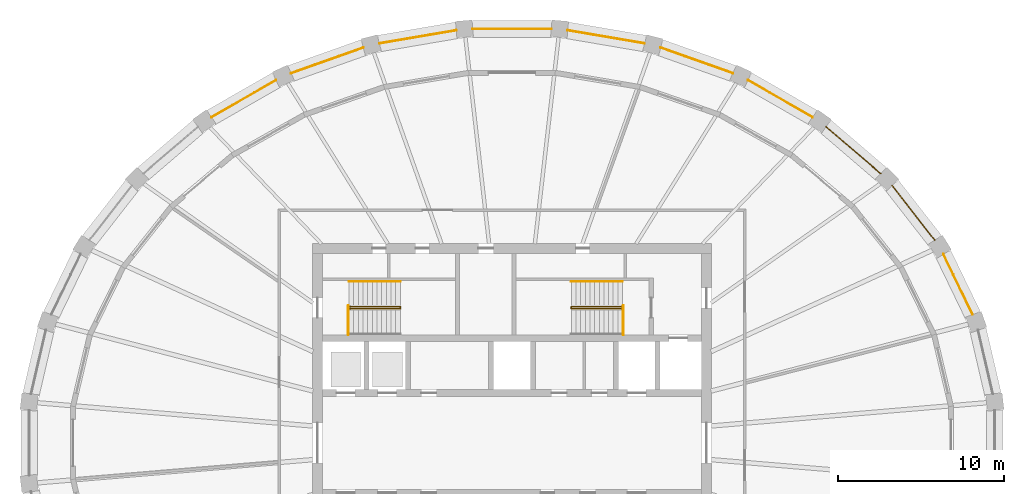
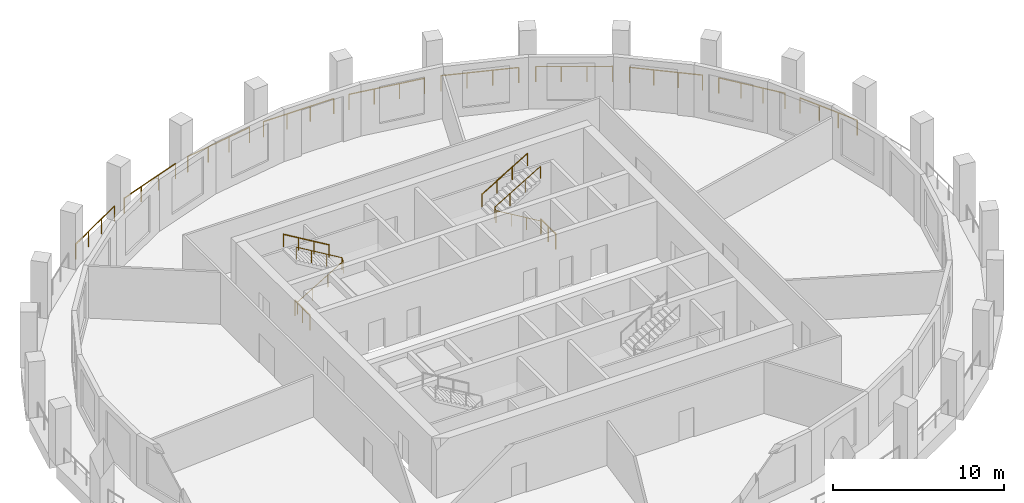
# One storey, part 9 of 10: 16 railings.
"""IFC4 building model written with IfcOpenShell, lengths in metres."""

import ifcopenshell
import ifcopenshell.guid

model = None  # the IFC model being written
_history = None  # IfcOwnerHistory: only IFC2X3 demands one
_inside = {}  # id of a spatial element -> (the spatial element, [elements in it])
_under = {}  # id of a project, library or spatial element -> (it, [spatial elements below it])
_declared = {}  # id of a project -> (the project, [libraries it declares])
_typed = {}  # id of a type object -> (the type object, [elements of that type])
_made_of = {}  # id of a material, layer set ... -> (it, [elements and type objects made of it])


def new_model(schema):
    """Start an empty IFC model of exactly this schema.

    Asked for "IFC4X3", IfcOpenShell would pick the latest addendum, in which some entities
    have other attributes; the version numbers below select the first issue.
    IFC2X3 requires an IfcOwnerHistory on every rooted entity: one is made here for all.
    """
    global model, _history
    if schema == "IFC4X3":
        model = ifcopenshell.file(schema_version=(4, 3, 0, 0))
    else:
        model = ifcopenshell.file(schema=schema)
    _inside.clear()
    _under.clear()
    _declared.clear()
    _typed.clear()
    _made_of.clear()
    _history = None
    if model.schema == "IFC2X3":
        org = make("IfcOrganization", Name="unknown")
        user = make(
            "IfcPersonAndOrganization",
            ThePerson=make("IfcPerson", FamilyName="unknown"),
            TheOrganization=org,
        )
        app = make(
            "IfcApplication",
            ApplicationDeveloper=org,
            Version="unknown",
            ApplicationFullName="unknown",
            ApplicationIdentifier="unknown",
        )
        _history = make(
            "IfcOwnerHistory",
            OwningUser=user,
            OwningApplication=app,
            ChangeAction="ADDED",
            CreationDate=0,
        )
    return model


def make(cls, **values):
    """One entity of the class cls with the attributes given. An attribute that is None is left unset."""
    return model.create_entity(
        cls, **{name: value for name, value in values.items() if value is not None}
    )


def rooted(cls, **values):
    """An entity with a GlobalId (a new one), such as an element, a storey or a relation."""
    return make(cls, GlobalId=ifcopenshell.guid.new(), OwnerHistory=_history, **values)


def si_unit(unit_type, name, prefix=None):
    """IfcSIUnit, for example si_unit("LENGTHUNIT", "METRE", prefix="MILLI")."""
    return make("IfcSIUnit", UnitType=unit_type, Prefix=prefix, Name=name)


def assignment(units):
    """IfcUnitAssignment: the units of a project."""
    return None if units is None else make("IfcUnitAssignment", Units=units)


def point(xyz):
    """IfcCartesianPoint."""
    return None if xyz is None else make("IfcCartesianPoint", Coordinates=xyz)


def direction(xyz):
    """IfcDirection."""
    return None if xyz is None else make("IfcDirection", DirectionRatios=xyz)


def frame(location, z_axis=None, x_axis=None):
    """IfcAxis2Placement3D, a coordinate frame: its origin and axes. An axis left out is left unset."""
    return make(
        "IfcAxis2Placement3D",
        Location=point(location),
        Axis=direction(z_axis),
        RefDirection=direction(x_axis),
    )


def frame_2d(location, x_axis=None):
    """IfcAxis2Placement2D, a coordinate frame in the plane: its origin and x axis."""
    return make(
        "IfcAxis2Placement2D", Location=point(location), RefDirection=direction(x_axis)
    )


def origin():
    """The frame at (0, 0, 0) with its axes left unset."""
    return frame((0.0, 0.0, 0.0))


def origin_2d():
    """The frame at (0, 0) in the plane with its x axis left unset."""
    return frame_2d((0.0, 0.0))


def place(relative_to, where):
    """IfcLocalPlacement: puts the frame where relative to a parent placement (None: the world)."""
    return make(
        "IfcLocalPlacement", PlacementRelTo=relative_to, RelativePlacement=where
    )


def context(
    kind, dimensions, precision=None, world=None, true_north=None, identifier=None
):
    """IfcGeometricRepresentationContext, for example the 3D "Model" context."""
    return make(
        "IfcGeometricRepresentationContext",
        ContextIdentifier=identifier,
        ContextType=kind,
        CoordinateSpaceDimension=dimensions,
        Precision=precision,
        WorldCoordinateSystem=world,
        TrueNorth=true_north,
    )


def subcontext(parent, identifier, kind, view, scale=None):
    """IfcGeometricRepresentationSubContext, for example "Body" below "Model"."""
    return make(
        "IfcGeometricRepresentationSubContext",
        ContextIdentifier=identifier,
        ContextType=kind,
        ParentContext=parent,
        TargetScale=scale,
        TargetView=view,
    )


def project(units=None, contexts=None):
    """IfcProject with its units and contexts."""
    return rooted(
        "IfcProject",
        Name="project",
        RepresentationContexts=contexts,
        UnitsInContext=assignment(units),
    )


def spatial(cls, under=None, at=None, **own):
    """A site, building, storey or space (cls), placed at a placement, below another one or the project."""
    s = rooted(cls, ObjectPlacement=at, **own)
    if under is not None:
        _under.setdefault(under.id(), (under, []))[1].append(s)
    return s


def profile(cls, at=None, kind="AREA", **sizes):
    """A parametric profile (cls). Its sizes go by their IFC names, for example OverallWidth=200.0."""
    return make(cls, ProfileType=kind, Position=at, **sizes)


def circle(**sizes):
    """IfcCircleProfileDef."""
    return profile("IfcCircleProfileDef", **sizes)


def extrude(swept, where, along, depth):
    """IfcExtrudedAreaSolid: the profile swept, set in the frame where, extruded along a direction by depth."""
    return make(
        "IfcExtrudedAreaSolid",
        SweptArea=swept,
        Position=where,
        ExtrudedDirection=direction(along),
        Depth=depth,
    )


def shape(context_of_items, identifier, shape_type, items):
    """IfcShapeRepresentation: the items that make up one representation, for example the "Body"."""
    return make(
        "IfcShapeRepresentation",
        ContextOfItems=context_of_items,
        RepresentationIdentifier=identifier,
        RepresentationType=shape_type,
        Items=items,
    )


def material(Name=None, Category=None):
    """IfcMaterial."""
    return make("IfcMaterial", Name=Name, Category=Category)


def made_of(thing, what):
    """Note that an element or type object is made of a material, layer set ...; save() writes the relation."""
    if what is not None:
        _made_of.setdefault(what.id(), (what, []))[1].append(thing)
    return thing


def type_object(cls, material=None, **own):
    """A type object (cls), such as IfcWallType, which elements share."""
    return made_of(rooted(cls, **own), material)


def element(
    cls,
    number,
    at=None,
    inside=None,
    cuts=None,
    type_object=None,
    material=None,
    context=None,
    identifier="Body",
    shape_type=None,
    held_by="IfcProductDefinitionShape",
    body=None,
    shapes=None,
    **own,
):
    """One element of the class cls, such as IfcWall. Its Tag is "e" and its number.

    at: its placement. inside: the storey or other place that contains it. cuts: it is an
    opening in that element (IfcRelVoidsElement). A single representation is given by context,
    identifier, shape_type and body (its items); several are given by shapes. held_by: the class
    of the entity that holds the representations. save() writes the other relations.
    """
    e = rooted(cls, Tag="e%d" % number, ObjectPlacement=at, **own)
    if body is not None:
        shapes = [shape(context, identifier, shape_type, body)]
    if shapes is not None:
        e.Representation = make(held_by, Representations=shapes)
    if inside is not None:
        _inside.setdefault(inside.id(), (inside, []))[1].append(e)
    if cuts is not None:
        rooted(
            "IfcRelVoidsElement", RelatingBuildingElement=cuts, RelatedOpeningElement=e
        )
    if type_object is not None:
        _typed.setdefault(type_object.id(), (type_object, []))[1].append(e)
    return made_of(e, material)


def aggregate(whole, parts):
    """IfcRelAggregates: a whole, such as a stair, and the parts it consists of."""
    return rooted("IfcRelAggregates", RelatingObject=whole, RelatedObjects=parts)


def save(model, path):
    """Write the relations noted so far, then the file.

    IfcRelAggregates (storeys below a building ...), IfcRelContainedInSpatialStructure (elements
    in a storey), IfcRelDefinesByType, IfcRelAssociatesMaterial and IfcRelDeclares: one each for
    every whole, place, type object, material and project.
    """
    for whole, parts in _under.values():
        aggregate(whole, parts)
    for where, things in _inside.values():
        rooted(
            "IfcRelContainedInSpatialStructure",
            RelatedElements=things,
            RelatingStructure=where,
        )
    for kind, things in _typed.values():
        rooted("IfcRelDefinesByType", RelatedObjects=things, RelatingType=kind)
    for what, things in _made_of.values():
        rooted("IfcRelAssociatesMaterial", RelatedObjects=things, RelatingMaterial=what)
    for by, libraries in _declared.values():
        rooted("IfcRelDeclares", RelatingContext=by, RelatedDefinitions=libraries)
    model.write(path)


model = new_model("IFC4")

# Units and contexts
model_context = context("Model", 3, precision=1e-05, world=origin(), true_north=direction((0.0, 1.0)))
body_context = subcontext(model_context, "Body", "Model", "MODEL_VIEW")
ifc_project = project(units=[si_unit("LENGTHUNIT", "METRE"), si_unit("AREAUNIT", "SQUARE_METRE"), si_unit("VOLUMEUNIT", "CUBIC_METRE"), si_unit("PLANEANGLEUNIT", "RADIAN"), si_unit("MASSUNIT", "GRAM", prefix="KILO")], contexts=[model_context])

# Site, building, storey
site_placement = place(None, origin())
site = spatial("IfcSite", under=ifc_project, at=site_placement, CompositionType="ELEMENT")
building_placement = place(site_placement, origin())
building = spatial("IfcBuilding", under=site, at=building_placement, Name="Halqa Exchange Tower", CompositionType="ELEMENT")
storey_placement = place(building_placement, frame((0.0, 0.0, 296.300048828125)))
storey = spatial("IfcBuildingStorey", under=building, at=storey_placement, Name="L69", CompositionType="ELEMENT", Elevation=296.300048828125)

# Railings
ifc_material = material(Name="Stainless steel", Category="steel")
railing_type_1 = type_object("IfcRailingType", Name="Guard 1100 stainless steel", PredefinedType="GUARDRAIL", material=ifc_material)
railing_1_placement = place(storey_placement, frame((27.7099609375, 7.711669921875, 0.0)))
element("IfcRailing", 1, at=railing_1_placement, inside=storey, type_object=railing_type_1, Name="Loggia guard 2", PredefinedType="GUARDRAIL", context=body_context, shape_type="SweptSolid", body=[
    extrude(circle(Radius=0.02392578125, at=origin_2d()), frame((0.0, 0.0, 1.076171875), z_axis=(-0.435086028239, 0.90038888711, 0.0), x_axis=(-0.90038888711, -0.435086028239, 0.0)), (0.0, 0.0, 1.0), 4.03173828125),
    extrude(circle(Radius=0.02099609375, at=origin_2d()), origin(), (0.0, 0.0, 1.0), 1.052001953125),
    extrude(circle(Radius=0.02099609375, at=origin_2d()), frame((-0.584716796875, 1.2099609375, 0.0)), (0.0, 0.0, 1.0), 1.052001953125),
    extrude(circle(Radius=0.02099609375, at=origin_2d()), frame((-1.16943359375, 2.420166015625, 0.0)), (0.0, 0.0, 1.0), 1.052001953125),
    extrude(circle(Radius=0.02099609375, at=origin_2d()), frame((-1.754150390625, 3.630126953125, 0.0)), (0.0, 0.0, 1.0), 1.052001953125),
])
railing_2_placement = place(storey_placement, frame((25.430908203125, 12.186279296875, 0.0)))
element("IfcRailing", 2, at=railing_2_placement, inside=storey, type_object=railing_type_1, Name="Loggia guard 3", PredefinedType="GUARDRAIL", context=body_context, shape_type="SweptSolid", body=[
    extrude(circle(Radius=0.02392578125, at=origin_2d()), frame((0.0, 0.0, 1.076171875), z_axis=(-0.614799536048, 0.788683415875, 0.0), x_axis=(-0.788683415875, -0.614799536048, 0.0)), (0.0, 0.0, 1.0), 4.169921875),
    extrude(circle(Radius=0.02099609375, at=origin_2d()), origin(), (0.0, 0.0, 1.0), 1.052001953125),
    extrude(circle(Radius=0.02099609375, at=origin_2d()), frame((-0.8544921875, 1.09619140625, 0.0)), (0.0, 0.0, 1.0), 1.052001953125),
    extrude(circle(Radius=0.02099609375, at=origin_2d()), frame((-1.709228515625, 2.192626953125, 0.0)), (0.0, 0.0, 1.0), 1.052001953125),
    extrude(circle(Radius=0.02099609375, at=origin_2d()), frame((-2.563720703125, 3.288818359375, 0.0)), (0.0, 0.0, 1.0), 1.052001953125),
])
railing_3_placement = place(storey_placement, frame((22.18017578125, 16.194580078125, 0.0)))
element("IfcRailing", 3, at=railing_3_placement, inside=storey, type_object=railing_type_1, Name="Loggia guard 4", PredefinedType="GUARDRAIL", context=body_context, shape_type="SweptSolid", body=[
    extrude(circle(Radius=0.02392578125, at=origin_2d()), frame((0.0, 0.0, 1.076171875), z_axis=(-0.759256602365, 0.650791373456, 0.0), x_axis=(-0.650791373456, -0.759256602365, 0.0)), (0.0, 0.0, 1.0), 4.328369140625),
    extrude(circle(Radius=0.02099609375, at=origin_2d()), origin(), (0.0, 0.0, 1.0), 1.052001953125),
    extrude(circle(Radius=0.02099609375, at=origin_2d()), frame((-1.095458984375, 0.93896484375, 0.0)), (0.0, 0.0, 1.0), 1.052001953125),
    extrude(circle(Radius=0.02099609375, at=origin_2d()), frame((-2.19091796875, 1.8779296875, 0.0)), (0.0, 0.0, 1.0), 1.052001953125),
    extrude(circle(Radius=0.02099609375, at=origin_2d()), frame((-3.286376953125, 2.81689453125, 0.0)), (0.0, 0.0, 1.0), 1.052001953125),
])
railing_4_placement = place(storey_placement, frame((18.080322265625, 19.58544921875, 0.0)))
element("IfcRailing", 4, at=railing_4_placement, inside=storey, type_object=railing_type_1, Name="Loggia guard 5", PredefinedType="GUARDRAIL", context=body_context, shape_type="SweptSolid", body=[
    extrude(circle(Radius=0.02392578125, at=origin_2d()), frame((0.0, 0.0, 1.076171875), z_axis=(-0.867770081803, 0.496965879239, 0.0), x_axis=(-0.496965879239, -0.867770081803, 0.0)), (0.0, 0.0, 1.0), 4.481689453125),
    extrude(circle(Radius=0.02099609375, at=origin_2d()), origin(), (0.0, 0.0, 1.0), 1.052001953125),
    extrude(circle(Radius=0.02099609375, at=origin_2d()), frame((-1.29638671875, 0.742431640625, 0.0)), (0.0, 0.0, 1.0), 1.052001953125),
    extrude(circle(Radius=0.02099609375, at=origin_2d()), frame((-2.5927734375, 1.48486328125, 0.0)), (0.0, 0.0, 1.0), 1.052001953125),
    extrude(circle(Radius=0.02099609375, at=origin_2d()), frame((-3.88916015625, 2.227294921875, 0.0)), (0.0, 0.0, 1.0), 1.052001953125),
])
railing_5_placement = place(storey_placement, frame((13.2861328125, 22.228515625, 0.0)))
element("IfcRailing", 5, at=railing_5_placement, inside=storey, type_object=railing_type_1, Name="Loggia guard 6", PredefinedType="GUARDRAIL", context=body_context, shape_type="SweptSolid", body=[
    extrude(circle(Radius=0.02392578125, at=origin_2d()), frame((0.0, 0.0, 1.076171875), z_axis=(-0.942370647396, 0.334570714388, 0.0), x_axis=(-0.334570714388, -0.942370647396, 0.0)), (0.0, 0.0, 1.0), 4.60888671875),
    extrude(circle(Radius=0.02099609375, at=origin_2d()), origin(), (0.0, 0.0, 1.0), 1.052001953125),
    extrude(circle(Radius=0.02099609375, at=origin_2d()), frame((-1.44775390625, 0.513916015625, 0.0)), (0.0, 0.0, 1.0), 1.052001953125),
    extrude(circle(Radius=0.02099609375, at=origin_2d()), frame((-2.8955078125, 1.028076171875, 0.0)), (0.0, 0.0, 1.0), 1.052001953125),
    extrude(circle(Radius=0.02099609375, at=origin_2d()), frame((-4.34326171875, 1.5419921875, 0.0)), (0.0, 0.0, 1.0), 1.052001953125),
])
railing_6_placement = place(storey_placement, frame((7.978759765625, 24.02197265625, 0.0)))
element("IfcRailing", 6, at=railing_6_placement, inside=storey, type_object=railing_type_1, Name="Loggia guard 7", PredefinedType="GUARDRAIL", context=body_context, shape_type="SweptSolid", body=[
    extrude(circle(Radius=0.02392578125, at=origin_2d()), frame((0.0, 0.0, 1.076171875), z_axis=(-0.98577534907, 0.168068322908, 0.0), x_axis=(-0.168068322908, -0.98577534907, 0.0)), (0.0, 0.0, 1.0), 4.69189453125),
    extrude(circle(Radius=0.02099609375, at=origin_2d()), origin(), (0.0, 0.0, 1.0), 1.052001953125),
    extrude(circle(Radius=0.02099609375, at=origin_2d()), frame((-1.541748046875, 0.262939453125, 0.0)), (0.0, 0.0, 1.0), 1.052001953125),
    extrude(circle(Radius=0.02099609375, at=origin_2d()), frame((-3.08349609375, 0.525634765625, 0.0)), (0.0, 0.0, 1.0), 1.052001953125),
    extrude(circle(Radius=0.02099609375, at=origin_2d()), frame((-4.625244140625, 0.78857421875, 0.0)), (0.0, 0.0, 1.0), 1.052001953125),
])
railing_7_placement = place(storey_placement, frame((2.360595703125, 24.89453125, 0.0)))
element("IfcRailing", 7, at=railing_7_placement, inside=storey, type_object=railing_type_1, Name="Loggia guard 8", PredefinedType="GUARDRAIL", context=body_context, shape_type="SweptSolid", body=[
    extrude(circle(Radius=0.02392578125, at=origin_2d()), frame((0.0, 0.0, 1.076171875), z_axis=(-1.0, 0.0, 0.0), x_axis=(0.0, -1.0, 0.0)), (0.0, 0.0, 1.0), 4.72119140625),
    extrude(circle(Radius=0.02099609375, at=origin_2d()), origin(), (0.0, 0.0, 1.0), 1.052001953125),
    extrude(circle(Radius=0.02099609375, at=origin_2d()), frame((-1.57373046875, 0.0, 0.0)), (0.0, 0.0, 1.0), 1.052001953125),
    extrude(circle(Radius=0.02099609375, at=origin_2d()), frame((-3.1474609375, 0.0, 0.0)), (0.0, 0.0, 1.0), 1.052001953125),
    extrude(circle(Radius=0.02099609375, at=origin_2d()), frame((-4.72119140625, 0.0, 0.0)), (0.0, 0.0, 1.0), 1.052001953125),
])
railing_8_placement = place(storey_placement, frame((-3.353515625, 24.810546875, 0.0)))
element("IfcRailing", 8, at=railing_8_placement, inside=storey, type_object=railing_type_1, Name="Loggia guard 9", PredefinedType="GUARDRAIL", context=body_context, shape_type="SweptSolid", body=[
    extrude(circle(Radius=0.02392578125, at=origin_2d()), frame((0.0, 0.0, 1.076171875), z_axis=(-0.98577534907, -0.168068322908, 0.0), x_axis=(0.168068322908, -0.98577534907, 0.0)), (0.0, 0.0, 1.0), 4.69189453125),
    extrude(circle(Radius=0.02099609375, at=origin_2d()), origin(), (0.0, 0.0, 1.0), 1.052001953125),
    extrude(circle(Radius=0.02099609375, at=origin_2d()), frame((-1.541748046875, -0.262939453125, 0.0)), (0.0, 0.0, 1.0), 1.052001953125),
    extrude(circle(Radius=0.02099609375, at=origin_2d()), frame((-3.08349609375, -0.525634765625, 0.0)), (0.0, 0.0, 1.0), 1.052001953125),
    extrude(circle(Radius=0.02099609375, at=origin_2d()), frame((-4.625244140625, -0.78857421875, 0.0)), (0.0, 0.0, 1.0), 1.052001953125),
])
railing_9_placement = place(storey_placement, frame((-8.94287109375, 23.7705078125, 0.0)))
element("IfcRailing", 9, at=railing_9_placement, inside=storey, type_object=railing_type_1, Name="Loggia guard 10", PredefinedType="GUARDRAIL", context=body_context, shape_type="SweptSolid", body=[
    extrude(circle(Radius=0.02392578125, at=origin_2d()), frame((0.0, 0.0, 1.076171875), z_axis=(-0.942370647396, -0.334570714388, 0.0), x_axis=(0.334570714388, -0.942370647396, 0.0)), (0.0, 0.0, 1.0), 4.60888671875),
    extrude(circle(Radius=0.02099609375, at=origin_2d()), origin(), (0.0, 0.0, 1.0), 1.052001953125),
    extrude(circle(Radius=0.02099609375, at=origin_2d()), frame((-1.44775390625, -0.513916015625, 0.0)), (0.0, 0.0, 1.0), 1.052001953125),
    extrude(circle(Radius=0.02099609375, at=origin_2d()), frame((-2.8955078125, -1.028076171875, 0.0)), (0.0, 0.0, 1.0), 1.052001953125),
    extrude(circle(Radius=0.02099609375, at=origin_2d()), frame((-4.34326171875, -1.5419921875, 0.0)), (0.0, 0.0, 1.0), 1.052001953125),
])
railing_10_placement = place(storey_placement, frame((-14.191162109375, 21.812744140625, 0.0)))
element("IfcRailing", 10, at=railing_10_placement, inside=storey, type_object=railing_type_1, Name="Loggia guard 11", PredefinedType="GUARDRAIL", context=body_context, shape_type="SweptSolid", body=[
    extrude(circle(Radius=0.02392578125, at=origin_2d()), frame((0.0, 0.0, 1.076171875), z_axis=(-0.867770081803, -0.496965879239, 0.0), x_axis=(0.496965879239, -0.867770081803, 0.0)), (0.0, 0.0, 1.0), 4.481689453125),
    extrude(circle(Radius=0.02099609375, at=origin_2d()), origin(), (0.0, 0.0, 1.0), 1.052001953125),
    extrude(circle(Radius=0.02099609375, at=origin_2d()), frame((-1.29638671875, -0.742431640625, 0.0)), (0.0, 0.0, 1.0), 1.052001953125),
    extrude(circle(Radius=0.02099609375, at=origin_2d()), frame((-2.5927734375, -1.48486328125, 0.0)), (0.0, 0.0, 1.0), 1.052001953125),
    extrude(circle(Radius=0.02099609375, at=origin_2d()), frame((-3.88916015625, -2.227294921875, 0.0)), (0.0, 0.0, 1.0), 1.052001953125),
])
railing_type_2 = type_object("IfcRailingType", Name="Stair handrail 900", PredefinedType="HANDRAIL", material=ifc_material)
railing_11_placement = place(storey_placement, frame((-9.800048828125, 8.06005859375, 0.166748046875)))
element("IfcRailing", 11, at=railing_11_placement, inside=storey, type_object=railing_type_2, Name="Handrail ST1.1", PredefinedType="HANDRAIL", context=body_context, shape_type="SweptSolid", body=[
    extrude(circle(Radius=0.02392578125, at=origin_2d()), frame((0.0, 0.0, 0.8759765625), z_axis=(0.859308565015, 0.0, 0.511457515432), x_axis=(0.0, 1.0, 0.0)), (0.0, 0.0, 1.0), 3.58447265625),
    extrude(circle(Radius=0.02392578125, at=origin_2d()), frame((3.080078125, 0.0, 2.708984375), z_axis=(0.0, 0.614500226555, 0.788916644243), x_axis=(-1.0, 0.0, 0.0)), (0.0, 0.0, 1.0), 0.21142578125),
    extrude(circle(Radius=0.02392578125, at=origin_2d()), frame((3.080078125, 0.1298828125, 2.8759765625), z_axis=(-0.859308565015, 0.0, 0.511457515432), x_axis=(0.0, -1.0, 0.0)), (0.0, 0.0, 1.0), 3.58447265625),
    extrude(circle(Radius=0.02099609375, at=origin_2d()), origin(), (0.0, 0.0, 1.0), 0.851806640625),
    extrude(circle(Radius=0.02099609375, at=origin_2d()), frame((1.026611328125, 0.0, 0.611083984375)), (0.0, 0.0, 1.0), 0.851806640625),
    extrude(circle(Radius=0.02099609375, at=origin_2d()), frame((2.053466796875, 0.0, 1.22216796875)), (0.0, 0.0, 1.0), 0.851806640625),
    extrude(circle(Radius=0.02099609375, at=origin_2d()), frame((3.080078125, 0.0, 1.833251953125)), (0.0, 0.0, 1.0), 0.851806640625),
    extrude(circle(Radius=0.02099609375, at=origin_2d()), frame((3.080078125, 0.1298828125, 2.0)), (0.0, 0.0, 1.0), 0.851806640625),
    extrude(circle(Radius=0.02099609375, at=origin_2d()), frame((2.053466796875, 0.1298828125, 2.611083984375)), (0.0, 0.0, 1.0), 0.851806640625),
    extrude(circle(Radius=0.02099609375, at=origin_2d()), frame((1.026611328125, 0.1298828125, 3.22216796875)), (0.0, 0.0, 1.0), 0.851806640625),
    extrude(circle(Radius=0.02099609375, at=origin_2d()), frame((0.0, 0.1298828125, 3.833251953125)), (0.0, 0.0, 1.0), 0.851806640625),
])
railing_12_placement = place(storey_placement, frame((-6.719970703125, 9.699951171875, 2.166748046875)))
element("IfcRailing", 12, at=railing_12_placement, inside=storey, type_object=railing_type_2, Name="Handrail ST1.3", PredefinedType="HANDRAIL", context=body_context, shape_type="SweptSolid", body=[
    extrude(circle(Radius=0.02392578125, at=origin_2d()), frame((0.0, 0.0, 0.8759765625), z_axis=(-0.859308565015, 0.0, 0.511457515432), x_axis=(0.0, -1.0, 0.0)), (0.0, 0.0, 1.0), 3.58447265625),
    extrude(circle(Radius=0.02099609375, at=origin_2d()), origin(), (0.0, 0.0, 1.0), 0.851806640625),
    extrude(circle(Radius=0.02099609375, at=origin_2d()), frame((-1.026611328125, 0.0, 0.611083984375)), (0.0, 0.0, 1.0), 0.851806640625),
    extrude(circle(Radius=0.02099609375, at=origin_2d()), frame((-2.053466796875, 0.0, 1.22216796875)), (0.0, 0.0, 1.0), 0.851806640625),
    extrude(circle(Radius=0.02099609375, at=origin_2d()), frame((-3.080078125, 0.0, 1.833251953125)), (0.0, 0.0, 1.0), 0.851806640625),
])
railing_13_placement = place(storey_placement, frame((6.64990234375, 8.06005859375, 0.166748046875)))
element("IfcRailing", 13, at=railing_13_placement, inside=storey, type_object=railing_type_2, Name="Handrail ST2.1", PredefinedType="HANDRAIL", context=body_context, shape_type="SweptSolid", body=[
    extrude(circle(Radius=0.02392578125, at=origin_2d()), frame((0.0, 0.0, 0.8759765625), z_axis=(-0.859290745958, 0.0, 0.51148745235), x_axis=(0.0, -1.0, 0.0)), (0.0, 0.0, 1.0), 3.584228515625),
    extrude(circle(Radius=0.02392578125, at=origin_2d()), frame((-3.079833984375, 0.0, 2.708984375), z_axis=(0.0, 0.614500226555, 0.788916644243), x_axis=(-1.0, 0.0, 0.0)), (0.0, 0.0, 1.0), 0.21142578125),
    extrude(circle(Radius=0.02392578125, at=origin_2d()), frame((-3.079833984375, 0.1298828125, 2.8759765625), z_axis=(0.859290745958, 0.0, 0.51148745235), x_axis=(0.0, 1.0, 0.0)), (0.0, 0.0, 1.0), 3.584228515625),
    extrude(circle(Radius=0.02099609375, at=origin_2d()), origin(), (0.0, 0.0, 1.0), 0.851806640625),
    extrude(circle(Radius=0.02099609375, at=origin_2d()), frame((-1.026611328125, 0.0, 0.611083984375)), (0.0, 0.0, 1.0), 0.851806640625),
    extrude(circle(Radius=0.02099609375, at=origin_2d()), frame((-2.05322265625, 0.0, 1.22216796875)), (0.0, 0.0, 1.0), 0.851806640625),
    extrude(circle(Radius=0.02099609375, at=origin_2d()), frame((-3.079833984375, 0.0, 1.833251953125)), (0.0, 0.0, 1.0), 0.851806640625),
    extrude(circle(Radius=0.02099609375, at=origin_2d()), frame((-3.079833984375, 0.1298828125, 2.0)), (0.0, 0.0, 1.0), 0.851806640625),
    extrude(circle(Radius=0.02099609375, at=origin_2d()), frame((-2.05322265625, 0.1298828125, 2.611083984375)), (0.0, 0.0, 1.0), 0.851806640625),
    extrude(circle(Radius=0.02099609375, at=origin_2d()), frame((-1.026611328125, 0.1298828125, 3.22216796875)), (0.0, 0.0, 1.0), 0.851806640625),
    extrude(circle(Radius=0.02099609375, at=origin_2d()), frame((0.0, 0.1298828125, 3.833251953125)), (0.0, 0.0, 1.0), 0.851806640625),
])
railing_14_placement = place(storey_placement, frame((3.570068359375, 9.699951171875, 2.166748046875)))
element("IfcRailing", 14, at=railing_14_placement, inside=storey, type_object=railing_type_2, Name="Handrail ST2.3", PredefinedType="HANDRAIL", context=body_context, shape_type="SweptSolid", body=[
    extrude(circle(Radius=0.02392578125, at=origin_2d()), frame((0.0, 0.0, 0.8759765625), z_axis=(0.859290745958, 0.0, 0.51148745235), x_axis=(0.0, 1.0, 0.0)), (0.0, 0.0, 1.0), 3.584228515625),
    extrude(circle(Radius=0.02099609375, at=origin_2d()), origin(), (0.0, 0.0, 1.0), 0.851806640625),
    extrude(circle(Radius=0.02099609375, at=origin_2d()), frame((1.026611328125, 0.0, 0.611083984375)), (0.0, 0.0, 1.0), 0.851806640625),
    extrude(circle(Radius=0.02099609375, at=origin_2d()), frame((2.05322265625, 0.0, 1.22216796875)), (0.0, 0.0, 1.0), 0.851806640625),
    extrude(circle(Radius=0.02099609375, at=origin_2d()), frame((3.079833984375, 0.0, 1.833251953125)), (0.0, 0.0, 1.0), 0.851806640625),
])
railing_type_3 = type_object("IfcRailingType", Name="Stair well guard 1100", PredefinedType="GUARDRAIL", material=ifc_material)
for number, where, name in (
    (15, (-9.85009765625, 6.5, 0.0), "Guard ST1 well"),
    (16, (6.699951171875, 6.5, 0.0), "Guard ST2 well"),
):
    element("IfcRailing", number, at=place(storey_placement, frame(where)), inside=storey, type_object=railing_type_3, Name=name, PredefinedType="GUARDRAIL", context=body_context, shape_type="SweptSolid", body=[
        extrude(circle(Radius=0.02392578125, at=origin_2d()), frame((0.0, 0.0, 1.076171875), z_axis=(0.0, 1.0, 0.0), x_axis=(-1.0, 0.0, 0.0)), (0.0, 0.0, 1.0), 1.75),
        extrude(circle(Radius=0.02099609375, at=origin_2d()), origin(), (0.0, 0.0, 1.0), 1.052001953125),
        extrude(circle(Radius=0.02099609375, at=origin_2d()), frame((0.0, 0.875, 0.0)), (0.0, 0.0, 1.0), 1.052001953125),
        extrude(circle(Radius=0.02099609375, at=origin_2d()), frame((0.0, 1.75, 0.0)), (0.0, 0.0, 1.0), 1.052001953125),
    ])

save(model, "model.ifc")
